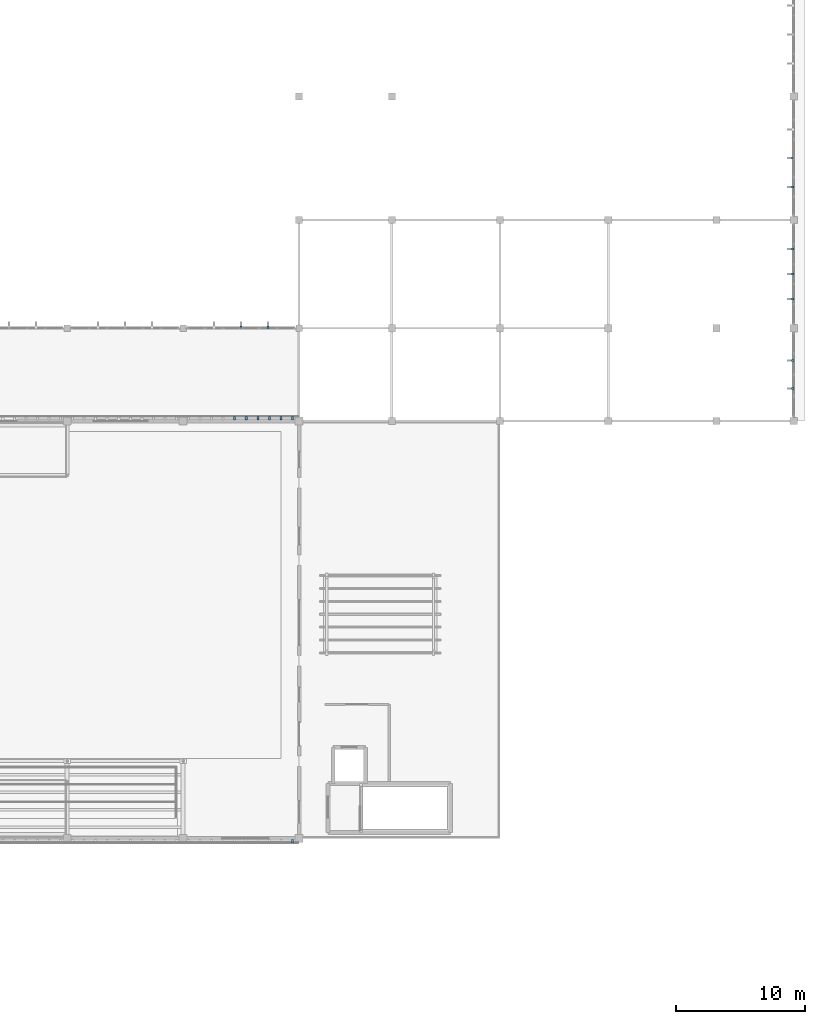
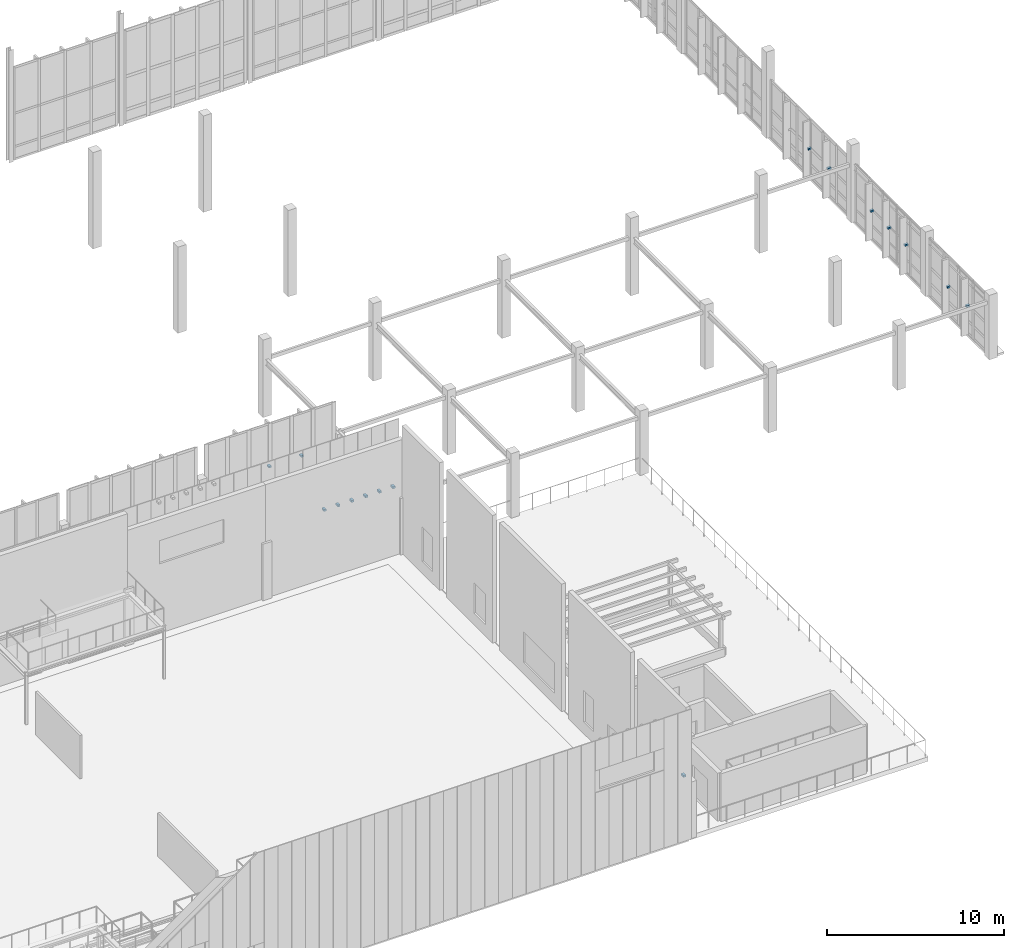
# One storey, part 52 of 67: 16 discrete accessories.
"""IFC4 building model written with IfcOpenShell, lengths in metres."""

from ifc_helpers import new_model, si_unit, direction, frame, origin, origin_2d, place, context, subcontext, project, spatial, rectangle, extrude, material, type_object, element, save


model = new_model("IFC4")

# Units and contexts
model_context = context("Model", 3, precision=1e-05, world=origin(), true_north=direction((0.0, 1.0)))
body_context = subcontext(model_context, "Body", "Model", "MODEL_VIEW")
ifc_project = project(units=[si_unit("LENGTHUNIT", "METRE"), si_unit("AREAUNIT", "SQUARE_METRE"), si_unit("VOLUMEUNIT", "CUBIC_METRE"), si_unit("PLANEANGLEUNIT", "RADIAN"), si_unit("MASSUNIT", "GRAM", prefix="KILO")], contexts=[model_context])

# Site, building, storey
site_placement = place(None, origin())
site = spatial("IfcSite", under=ifc_project, at=site_placement, CompositionType="ELEMENT")
building_placement = place(site_placement, origin())
building = spatial("IfcBuilding", under=site, at=building_placement, Name="Tizgana Railside Sports Hall", CompositionType="ELEMENT")
storey_placement = place(building_placement, frame((0.0, 0.0, 12.0)))
storey = spatial("IfcBuildingStorey", under=building, at=storey_placement, Name="L02", CompositionType="ELEMENT", Elevation=12.0)

# Discrete accessories
ifc_material = material(Name="Steel S355J2", Category="steel")
discrete_accessory_type = type_object("IfcDiscreteAccessoryType", Name="Stainless Facade Support Bracket", PredefinedType="BRACKET", material=ifc_material)
for number, where, z_axis, x_axis, name in (
    (1, (133.30029296875, 40.580078125, 4.43017578125), (0.0, 0.0, 1.0), (-1.0, 0.0, 0.0), "L02 Screen Bracket"),
    (2, (128.802734375, 73.419921875, 4.43017578125), (0.0, 0.0, 1.0), (1.0, 0.0, 0.0), "L02 Screen Bracket"),
    (3, (129.7021484375, 73.419921875, 4.43017578125), (0.0, 0.0, 1.0), (1.0, 0.0, 0.0), "L02 Screen Bracket"),
    (4, (130.601806640625, 73.419921875, 4.43017578125), (0.0, 0.0, 1.0), (1.0, 0.0, 0.0), "L02 Screen Bracket"),
    (5, (131.501220703125, 73.419921875, 4.43017578125), (0.0, 0.0, 1.0), (1.0, 0.0, 0.0), "L02 Screen Bracket"),
    (6, (132.400634765625, 73.419921875, 4.43017578125), (0.0, 0.0, 1.0), (1.0, 0.0, 0.0), "L02 Screen Bracket"),
    (7, (133.30029296875, 73.419921875, 4.43017578125), (0.0, 0.0, 1.0), (1.0, 0.0, 0.0), "L02 Screen Bracket"),
):
    element("IfcDiscreteAccessory", number, at=place(storey_placement, frame(where, z_axis=z_axis, x_axis=x_axis)), inside=storey, type_object=discrete_accessory_type, Name=name, PredefinedType="BRACKET", context=body_context, shape_type="SweptSolid", body=[
        extrude(rectangle(XDim=0.159912109375, YDim=0.25, at=origin_2d()), origin(), (0.0, 0.0, 1.0), 0.139892578125),
    ])
for number, where, z_axis, x_axis, name in (
    (8, (129.300048828125, 80.47998046875, 2.969970703125), (0.0, 0.0, 1.0), (1.0, 0.0, 0.0), "L02 Fin Bracket"),
    (9, (131.3974609375, 80.47998046875, 2.969970703125), (0.0, 0.0, 1.0), (1.0, 0.0, 0.0), "L02 Fin Bracket"),
    (10, (172.1201171875, 75.7099609375, 1.93994140625), (0.0, 0.0, 1.0), (0.0, 1.0, 0.0), "L02 Fin Bracket"),
    (11, (172.1201171875, 77.889892578125, 1.93994140625), (0.0, 0.0, 1.0), (0.0, 1.0, 0.0), "L02 Fin Bracket"),
    (12, (172.1201171875, 82.6650390625, 1.93994140625), (0.0, 0.0, 1.0), (0.0, 1.0, 0.0), "L02 Fin Bracket"),
    (13, (172.1201171875, 84.60009765625, 1.93994140625), (0.0, 0.0, 1.0), (0.0, 1.0, 0.0), "L02 Fin Bracket"),
    (14, (172.1201171875, 86.534912109375, 1.93994140625), (0.0, 0.0, 1.0), (0.0, 1.0, 0.0), "L02 Fin Bracket"),
    (15, (172.1201171875, 91.364990234375, 1.93994140625), (0.0, 0.0, 1.0), (0.0, 1.0, 0.0), "L02 Fin Bracket"),
    (16, (172.1201171875, 93.60009765625, 1.93994140625), (0.0, 0.0, 1.0), (0.0, 1.0, 0.0), "L02 Fin Bracket"),
):
    element("IfcDiscreteAccessory", number, at=place(storey_placement, frame(where, z_axis=z_axis, x_axis=x_axis)), inside=storey, type_object=discrete_accessory_type, Name=name, PredefinedType="BRACKET", context=body_context, shape_type="SweptSolid", body=[
        extrude(rectangle(XDim=0.159912109375, YDim=0.219970703125, at=origin_2d()), origin(), (0.0, 0.0, 1.0), 0.1201171875),
    ])

save(model, "model.ifc")
